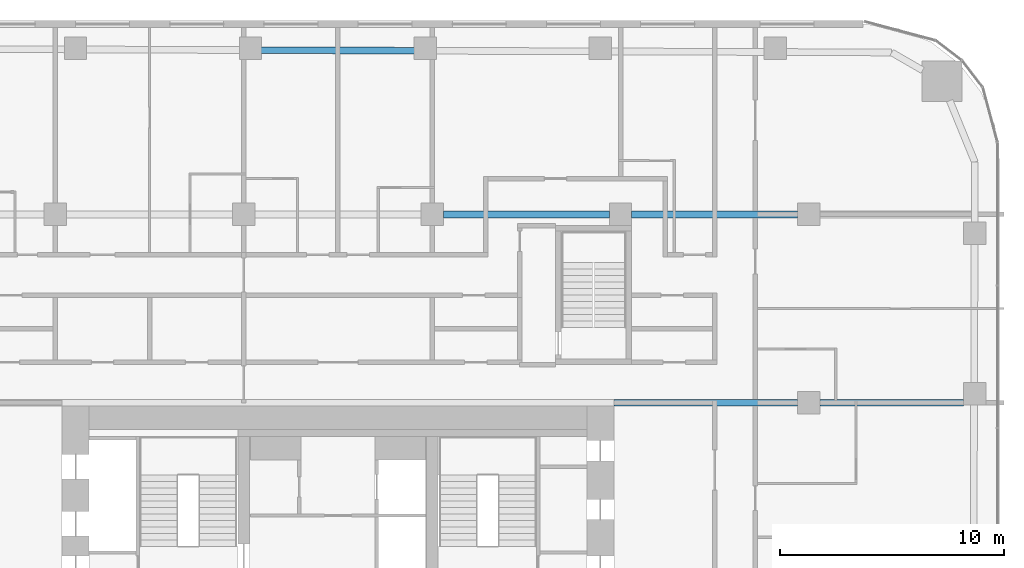
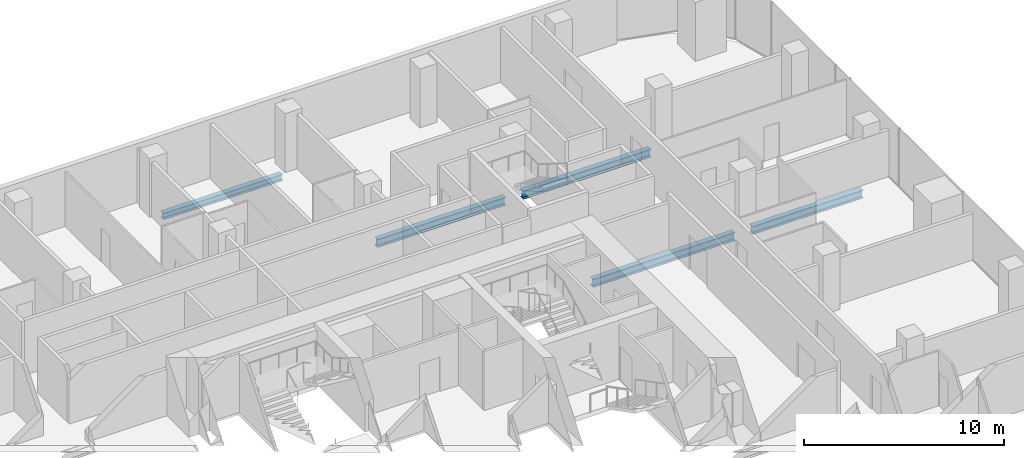
# One storey, part 11 of 26: 5 beams.
"""IFC4 building model written with IfcOpenShell, lengths in metres."""

from ifc_helpers import new_model, si_unit, direction, frame, origin, origin_2d, place, context, subcontext, project, spatial, i_section, extrude, material, material_profile, profile_set, type_object, element, save


model = new_model("IFC4")

# Units and contexts
model_context = context("Model", 3, precision=1e-05, world=origin(), true_north=direction((0.0, 1.0)))
body_context = subcontext(model_context, "Body", "Model", "MODEL_VIEW")
ifc_project = project(units=[si_unit("LENGTHUNIT", "METRE"), si_unit("AREAUNIT", "SQUARE_METRE"), si_unit("VOLUMEUNIT", "CUBIC_METRE"), si_unit("PLANEANGLEUNIT", "RADIAN"), si_unit("MASSUNIT", "GRAM", prefix="KILO")], contexts=[model_context])

# Site, building, storey
site_placement = place(None, origin())
site = spatial("IfcSite", under=ifc_project, at=site_placement, CompositionType="ELEMENT")
building_placement = place(site_placement, origin())
building = spatial("IfcBuilding", under=site, at=building_placement, Name="Marenta Gate Hotel Tower", CompositionType="ELEMENT")
storey_placement = place(building_placement, frame((0.0, 0.0, 72.5)))
storey = spatial("IfcBuildingStorey", under=building, at=storey_placement, Name="L16", CompositionType="ELEMENT", Elevation=72.5)

# Beams
ifc_material_1 = material(Name="Steel S355", Category="steel")
ifc_material_profile_1 = material_profile(ifc_material_1, i_section(OverallWidth=0.300048828125, OverallDepth=0.39990234375, WebThickness=0.013427734375, FlangeThickness=0.02392578125, FilletRadius=0.027099609375, at=origin_2d()), Name="HEB 400")
ifc_profile_set_1 = profile_set([ifc_material_profile_1], Name="Steel S355")
beam_type_1 = type_object("IfcBeamType", Name="Edge beam HEB 400", PredefinedType="SPANDREL", material=ifc_profile_set_1)
beam_1_placement = place(storey_placement, frame((-3.44140625, 32.52587890625, -0.4599609375), z_axis=(0.999993195747, -0.003688964684, 0.0), x_axis=(0.003688964684, 0.999993195747, 0.0)))
element("IfcBeam", 1, at=beam_1_placement, inside=storey, type_object=beam_type_1, Name="L16-EB-16", PredefinedType="SPANDREL", context=body_context, shape_type="SweptSolid", body=[
    extrude(i_section(OverallWidth=0.300048828125, OverallDepth=0.39990234375, WebThickness=0.013427734375, FlangeThickness=0.02392578125, FilletRadius=0.027099609375, at=origin_2d()), origin(), (0.0, 0.0, 1.0), 6.8828125),
])
ifc_material_2 = material(Name="Steel S355", Category="steel")
ifc_material_profile_2 = material_profile(ifc_material_2, i_section(OverallWidth=0.300048828125, OverallDepth=0.5, WebThickness=0.014404296875, FlangeThickness=0.028076171875, FilletRadius=0.027099609375, at=origin_2d()), Name="HEB 500")
ifc_profile_set_2 = profile_set([ifc_material_profile_2], Name="Steel S355")
beam_type_2 = type_object("IfcBeamType", Name="Girder HEB 500", PredefinedType="BEAM", material=ifc_profile_set_2)
beam_2_placement = place(storey_placement, frame((12.300048828125, 16.800048828125, -0.510009765625), z_axis=(1.0, 0.0, 0.0), x_axis=(0.0, 1.0, 0.0)))
element("IfcBeam", 2, at=beam_2_placement, inside=storey, type_object=beam_type_2, Name="L16-GD-20", PredefinedType="BEAM", context=body_context, shape_type="SweptSolid", body=[
    extrude(i_section(OverallWidth=0.300048828125, OverallDepth=0.5, WebThickness=0.014404296875, FlangeThickness=0.028076171875, FilletRadius=0.027099609375, at=origin_2d()), origin(), (0.0, 0.0, 1.0), 8.199951171875),
])
beam_3_placement = place(storey_placement, frame((21.5, 16.800048828125, -0.510009765625), z_axis=(1.0, 0.0, 0.0), x_axis=(0.0, 1.0, 0.0)))
element("IfcBeam", 3, at=beam_3_placement, inside=storey, type_object=beam_type_2, Name="L16-GD-21", PredefinedType="BEAM", context=body_context, shape_type="SweptSolid", body=[
    extrude(i_section(OverallWidth=0.300048828125, OverallDepth=0.5, WebThickness=0.014404296875, FlangeThickness=0.028076171875, FilletRadius=0.027099609375, at=origin_2d()), origin(), (0.0, 0.0, 1.0), 6.39990234375),
])
beam_4_placement = place(storey_placement, frame((4.699951171875, 25.199951171875, -0.510009765625), z_axis=(1.0, 0.0, 0.0), x_axis=(0.0, 1.0, 0.0)))
element("IfcBeam", 4, at=beam_4_placement, inside=storey, type_object=beam_type_2, Name="L16-GD-26", PredefinedType="BEAM", context=body_context, shape_type="SweptSolid", body=[
    extrude(i_section(OverallWidth=0.300048828125, OverallDepth=0.5, WebThickness=0.014404296875, FlangeThickness=0.028076171875, FilletRadius=0.027099609375, at=origin_2d()), origin(), (0.0, 0.0, 1.0), 7.400146484375),
])
beam_5_placement = place(storey_placement, frame((13.10009765625, 25.199951171875, -0.510009765625), z_axis=(1.0, 0.0, 0.0), x_axis=(0.0, 1.0, 0.0)))
element("IfcBeam", 5, at=beam_5_placement, inside=storey, type_object=beam_type_2, Name="L16-GD-27", PredefinedType="BEAM", context=body_context, shape_type="SweptSolid", body=[
    extrude(i_section(OverallWidth=0.300048828125, OverallDepth=0.5, WebThickness=0.014404296875, FlangeThickness=0.028076171875, FilletRadius=0.027099609375, at=origin_2d()), origin(), (0.0, 0.0, 1.0), 7.39990234375),
])

save(model, "model.ifc")
